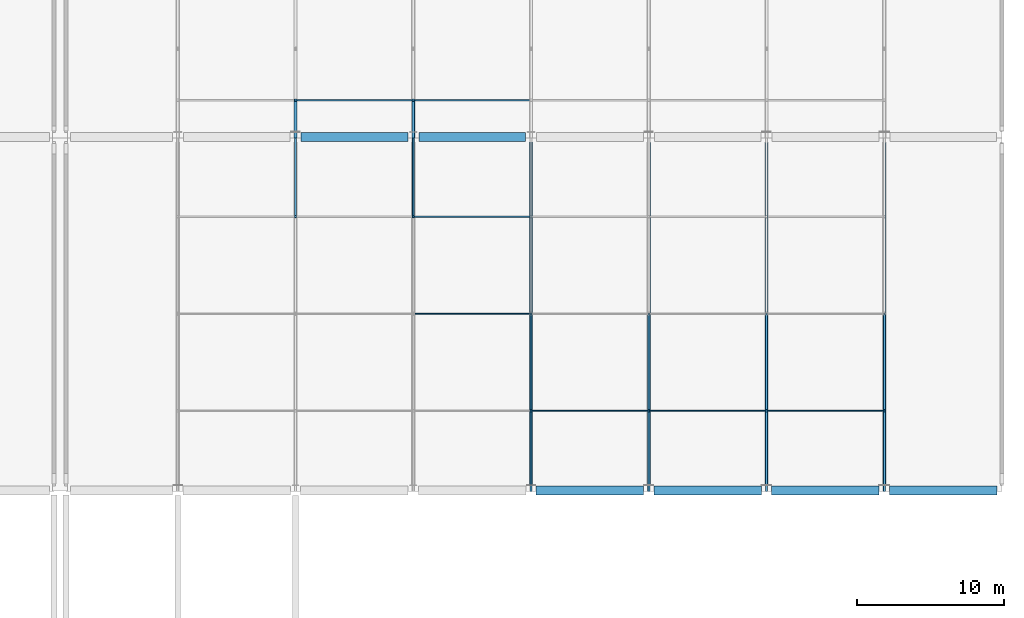
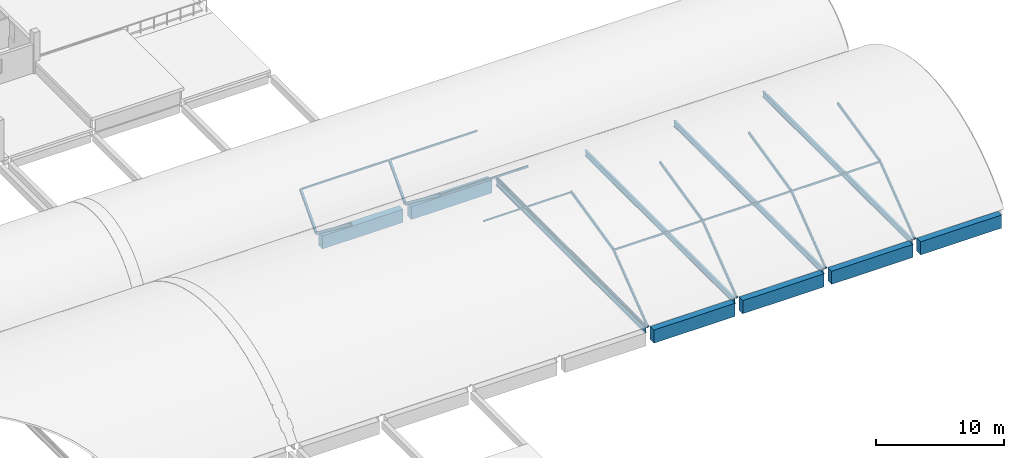
# One storey, part 31 of 57: 20 members, 10 beams.
"""IFC4 building model written with IfcOpenShell, lengths in metres."""

from ifc_helpers import new_model, si_unit, direction, frame, origin, origin_2d, place, context, subcontext, project, spatial, rectangle, hollow_rectangle, hollow_circle, i_section, extrude, material, material_profile, profile_set, type_object, element, save


model = new_model("IFC4")

# Units and contexts
model_context = context("Model", 3, precision=1e-05, world=origin(), true_north=direction((0.0, 1.0)))
body_context = subcontext(model_context, "Body", "Model", "MODEL_VIEW")
ifc_project = project(units=[si_unit("LENGTHUNIT", "METRE"), si_unit("AREAUNIT", "SQUARE_METRE"), si_unit("VOLUMEUNIT", "CUBIC_METRE"), si_unit("PLANEANGLEUNIT", "RADIAN"), si_unit("MASSUNIT", "GRAM", prefix="KILO"), si_unit("THERMODYNAMICTEMPERATUREUNIT", "KELVIN"), si_unit("POWERUNIT", "WATT")], contexts=[model_context])

# Site, building, storey
site_placement = place(None, origin())
site = spatial("IfcSite", under=ifc_project, at=site_placement, CompositionType="ELEMENT")
building_placement = place(site_placement, origin())
building = spatial("IfcBuilding", under=site, at=building_placement, Name="Kronsvod Quay Wholesale Market", CompositionType="ELEMENT")
storey_placement = place(building_placement, frame((0.0, 0.0, 13.199951171875)))
storey = spatial("IfcBuildingStorey", under=building, at=storey_placement, Name="L03", CompositionType="ELEMENT", Elevation=13.199951171875)

# Beams
ifc_material_1 = material(Name="Precast concrete C40/50", Category="concrete")
ifc_material_profile_1 = material_profile(ifc_material_1, rectangle(XDim=0.60009765625, YDim=1.25, at=origin_2d()), Name="PCVG600x1250")
ifc_profile_set_1 = profile_set([ifc_material_profile_1], Name="Precast concrete C40/50")
beam_type_1 = type_object("IfcBeamType", Name="Girder_PCVG600x1250", PredefinedType="T_BEAM", material=ifc_profile_set_1)
for number, where, z_axis, x_axis, name in (
    (1, (160.35009765625, 54.0, -0.844970703125), (1.0, 0.0, 0.0), (0.0, 1.0, 0.0), "BMX-L03-1600-540"),
    (2, (168.35009765625, 54.0, -0.844970703125), (1.0, 0.0, 0.0), (0.0, 1.0, 0.0), "BMX-L03-1680-540"),
    (3, (176.35009765625, 54.0, -0.844970703125), (1.0, 0.0, 0.0), (0.0, 1.0, 0.0), "BMX-L03-1760-540"),
    (4, (184.35009765625, 54.0, -0.844970703125), (1.0, 0.0, 0.0), (0.0, 1.0, 0.0), "BMX-L03-1840-540"),
):
    element("IfcBeam", number, at=place(storey_placement, frame(where, z_axis=z_axis, x_axis=x_axis)), inside=storey, type_object=beam_type_1, Name=name, PredefinedType="T_BEAM", context=body_context, shape_type="SweptSolid", body=[
        extrude(rectangle(XDim=0.60009765625, YDim=1.25, at=origin_2d()), origin(), (0.0, 0.0, 1.0), 7.2998046875),
    ])
for number, where, z_axis, x_axis, name in (
    (5, (144.375, 78.0, -0.844970703125), (1.0, 0.0, 0.0), (0.0, 1.0, 0.0), "BMX-L03-1440-780"),
    (6, (152.375, 78.0, -0.844970703125), (1.0, 0.0, 0.0), (0.0, 1.0, 0.0), "BMX-L03-1520-780"),
):
    element("IfcBeam", number, at=place(storey_placement, frame(where, z_axis=z_axis, x_axis=x_axis)), inside=storey, type_object=beam_type_1, Name=name, PredefinedType="T_BEAM", context=body_context, shape_type="SweptSolid", body=[
        extrude(rectangle(XDim=0.60009765625, YDim=1.25, at=origin_2d()), origin(), (0.0, 0.0, 1.0), 7.25),
    ])
ifc_material_2 = material(Name="Steel S355", Category="steel")
ifc_material_profile_2 = material_profile(ifc_material_2, i_section(OverallWidth=0.199951171875, OverallDepth=0.5458984375, WebThickness=0.009521484375, FlangeThickness=0.014892578125, FilletRadius=0.02197265625, at=origin_2d()), Name="55B1")
ifc_profile_set_2 = profile_set([ifc_material_profile_2], Name="Steel S355")
beam_type_2 = type_object("IfcBeamType", Name="Girder_Steel55B1", PredefinedType="T_BEAM", material=ifc_profile_set_2)
for number, where, z_axis, x_axis, name in (
    (7, (160.0, 54.35009765625, -0.492919921875), (0.0, 1.0, 0.0), (-1.0, 0.0, 0.0), "BMY-L03-1600-540"),
    (8, (168.0, 54.35009765625, -0.492919921875), (0.0, 1.0, 0.0), (-1.0, 0.0, 0.0), "BMY-L03-1680-540"),
    (9, (176.0, 54.35009765625, -0.492919921875), (0.0, 1.0, 0.0), (-1.0, 0.0, 0.0), "BMY-L03-1760-540"),
    (10, (184.0, 54.35009765625, -0.492919921875), (0.0, 1.0, 0.0), (-1.0, 0.0, 0.0), "BMY-L03-1840-540"),
):
    element("IfcBeam", number, at=place(storey_placement, frame(where, z_axis=z_axis, x_axis=x_axis)), inside=storey, type_object=beam_type_2, Name=name, PredefinedType="T_BEAM", context=body_context, shape_type="SweptSolid", body=[
        extrude(i_section(OverallWidth=0.199951171875, OverallDepth=0.5458984375, WebThickness=0.009521484375, FlangeThickness=0.014892578125, FilletRadius=0.02197265625, at=origin_2d()), origin(), (0.0, 0.0, 1.0), 23.27490234375),
    ])

# Members
ifc_material_3 = material(Name="Steel S355", Category="steel")
ifc_material_profile_3 = material_profile(ifc_material_3, hollow_rectangle(XDim=0.199951171875, YDim=0.199951171875, WallThickness=0.010009765625, InnerFilletRadius=0.010009765625, OuterFilletRadius=0.02001953125, at=origin_2d()), Name="RHS200x200x10")
ifc_profile_set_3 = profile_set([ifc_material_profile_3], Name="Steel S355")
member_type_1 = type_object("IfcMemberType", Name="Member_Arch200x200", PredefinedType="RAFTER", material=ifc_profile_set_3)
for number, where, z_axis, x_axis, name in (
    (11, (144.0, 78.0, -0.010009765625), (0.0, 0.67865576732, 0.734456499381), (-1.0, 0.0, 0.0), "ARCG-SH-V2E-N-1440-0"),
    (12, (152.0, 78.0, -0.010009765625), (0.0, 0.67865576732, 0.734456499381), (-1.0, 0.0, 0.0), "ARCG-SH-V2E-N-1520-0"),
):
    element("IfcMember", number, at=place(storey_placement, frame(where, z_axis=z_axis, x_axis=x_axis)), inside=storey, type_object=member_type_1, Name=name, PredefinedType="RAFTER", context=body_context, shape_type="SweptSolid", body=[
        extrude(hollow_rectangle(XDim=0.199951171875, YDim=0.199951171875, WallThickness=0.010009765625, InnerFilletRadius=0.010009765625, OuterFilletRadius=0.02001953125, at=origin_2d()), origin(), (0.0, 0.0, 1.0), 3.697021484375),
    ])
ifc_material_4 = material(Name="Steel S355", Category="steel")
ifc_material_profile_4 = material_profile(ifc_material_4, hollow_rectangle(XDim=0.14990234375, YDim=0.25, WallThickness=0.010009765625, InnerFilletRadius=0.010009765625, OuterFilletRadius=0.02001953125, at=origin_2d()), Name="RHS250x150x10")
ifc_profile_set_4 = profile_set([ifc_material_profile_4], Name="Steel S355")
member_type_2 = type_object("IfcMemberType", Name="Member_Arch250x150", PredefinedType="RAFTER", material=ifc_profile_set_4)
for number, where, z_axis, x_axis, name in (
    (13, (144.0, 72.594482421875, 4.1298828125), (0.0, 0.79391386882, -0.608030236827), (-1.0, 0.0, 0.0), "ARCG-SH-V2E-M-1440-3"),
    (14, (152.0, 72.594482421875, 4.1298828125), (0.0, 0.79391386882, -0.608030236827), (-1.0, 0.0, 0.0), "ARCG-SH-V2E-M-1520-3"),
    (15, (160.0, 54.0, -0.010009765625), (0.0, 0.79391386882, 0.608030236827), (-1.0, 0.0, 0.0), "ARCG-SH-V2E-M-1600-0"),
):
    element("IfcMember", number, at=place(storey_placement, frame(where, z_axis=z_axis, x_axis=x_axis)), inside=storey, type_object=member_type_2, Name=name, PredefinedType="RAFTER", context=body_context, shape_type="SweptSolid", body=[
        extrude(hollow_rectangle(XDim=0.14990234375, YDim=0.25, WallThickness=0.010009765625, InnerFilletRadius=0.010009765625, OuterFilletRadius=0.02001953125, at=origin_2d()), origin(), (0.0, 0.0, 1.0), 6.80859375),
    ])
member_1_placement = place(storey_placement, frame((160.0, 59.405517578125, 4.1298828125), z_axis=(0.0, 0.974763902227, 0.223238291777), x_axis=(-1.0, 0.0, 0.0)))
element("IfcMember", 16, at=member_1_placement, inside=storey, type_object=member_type_2, Name="ARCG-SH-V2E-M-1600-1", PredefinedType="RAFTER", context=body_context, shape_type="SweptSolid", body=[
    extrude(hollow_rectangle(XDim=0.14990234375, YDim=0.25, WallThickness=0.010009765625, InnerFilletRadius=0.010009765625, OuterFilletRadius=0.02001953125, at=origin_2d()), origin(), (0.0, 0.0, 1.0), 6.76513671875),
])
member_2_placement = place(storey_placement, frame((168.0, 54.0, -0.010009765625), z_axis=(0.0, 0.79391386882, 0.608030236827), x_axis=(-1.0, 0.0, 0.0)))
element("IfcMember", 17, at=member_2_placement, inside=storey, type_object=member_type_2, Name="ARCG-SH-V2E-M-1680-0", PredefinedType="RAFTER", context=body_context, shape_type="SweptSolid", body=[
    extrude(hollow_rectangle(XDim=0.14990234375, YDim=0.25, WallThickness=0.010009765625, InnerFilletRadius=0.010009765625, OuterFilletRadius=0.02001953125, at=origin_2d()), origin(), (0.0, 0.0, 1.0), 6.80859375),
])
member_3_placement = place(storey_placement, frame((168.0, 59.405517578125, 4.1298828125), z_axis=(0.0, 0.974763902227, 0.223238291777), x_axis=(-1.0, 0.0, 0.0)))
element("IfcMember", 18, at=member_3_placement, inside=storey, type_object=member_type_2, Name="ARCG-SH-V2E-M-1680-1", PredefinedType="RAFTER", context=body_context, shape_type="SweptSolid", body=[
    extrude(hollow_rectangle(XDim=0.14990234375, YDim=0.25, WallThickness=0.010009765625, InnerFilletRadius=0.010009765625, OuterFilletRadius=0.02001953125, at=origin_2d()), origin(), (0.0, 0.0, 1.0), 6.76513671875),
])
member_4_placement = place(storey_placement, frame((176.0, 54.0, -0.010009765625), z_axis=(0.0, 0.79391386882, 0.608030236827), x_axis=(-1.0, 0.0, 0.0)))
element("IfcMember", 19, at=member_4_placement, inside=storey, type_object=member_type_2, Name="ARCG-SH-V2E-M-1760-0", PredefinedType="RAFTER", context=body_context, shape_type="SweptSolid", body=[
    extrude(hollow_rectangle(XDim=0.14990234375, YDim=0.25, WallThickness=0.010009765625, InnerFilletRadius=0.010009765625, OuterFilletRadius=0.02001953125, at=origin_2d()), origin(), (0.0, 0.0, 1.0), 6.80859375),
])
member_5_placement = place(storey_placement, frame((176.0, 59.405517578125, 4.1298828125), z_axis=(0.0, 0.974763902227, 0.223238291777), x_axis=(-1.0, 0.0, 0.0)))
element("IfcMember", 20, at=member_5_placement, inside=storey, type_object=member_type_2, Name="ARCG-SH-V2E-M-1760-1", PredefinedType="RAFTER", context=body_context, shape_type="SweptSolid", body=[
    extrude(hollow_rectangle(XDim=0.14990234375, YDim=0.25, WallThickness=0.010009765625, InnerFilletRadius=0.010009765625, OuterFilletRadius=0.02001953125, at=origin_2d()), origin(), (0.0, 0.0, 1.0), 6.76513671875),
])
member_6_placement = place(storey_placement, frame((184.0, 54.0, -0.010009765625), z_axis=(0.0, 0.79391386882, 0.608030236827), x_axis=(-1.0, 0.0, 0.0)))
element("IfcMember", 21, at=member_6_placement, inside=storey, type_object=member_type_2, Name="ARCG-SH-V2E-M-1840-0", PredefinedType="RAFTER", context=body_context, shape_type="SweptSolid", body=[
    extrude(hollow_rectangle(XDim=0.14990234375, YDim=0.25, WallThickness=0.010009765625, InnerFilletRadius=0.010009765625, OuterFilletRadius=0.02001953125, at=origin_2d()), origin(), (0.0, 0.0, 1.0), 6.80859375),
])
member_7_placement = place(storey_placement, frame((184.0, 59.405517578125, 4.1298828125), z_axis=(0.0, 0.974763902227, 0.223238291777), x_axis=(-1.0, 0.0, 0.0)))
element("IfcMember", 22, at=member_7_placement, inside=storey, type_object=member_type_2, Name="ARCG-SH-V2E-M-1840-1", PredefinedType="RAFTER", context=body_context, shape_type="SweptSolid", body=[
    extrude(hollow_rectangle(XDim=0.14990234375, YDim=0.25, WallThickness=0.010009765625, InnerFilletRadius=0.010009765625, OuterFilletRadius=0.02001953125, at=origin_2d()), origin(), (0.0, 0.0, 1.0), 6.76513671875),
])
ifc_material_5 = material(Name="Steel S355", Category="steel")
ifc_material_profile_5 = material_profile(ifc_material_5, hollow_circle(Radius=0.109619140625, WallThickness=0.010009765625, at=origin_2d()), Name="CHS219x10")
ifc_profile_set_5 = profile_set([ifc_material_profile_5], Name="Steel S355")
member_type_3 = type_object("IfcMemberType", Name="Member_Chord219x10", PredefinedType="CHORD", material=ifc_profile_set_5)
member_8_placement = place(storey_placement, frame((160.0, 54.340087890625, -0.079833984375), z_axis=(0.0, 1.0, 0.0), x_axis=(-1.0, 0.0, 0.0)))
element("IfcMember", 23, at=member_8_placement, inside=storey, type_object=member_type_3, Name="CHDG-SH-V2E-M-1600", PredefinedType="CHORD", context=body_context, shape_type="SweptSolid", body=[
    extrude(hollow_circle(Radius=0.109619140625, WallThickness=0.010009765625, at=origin_2d()), origin(), (0.0, 0.0, 1.0), 23.31982421875),
])
ifc_material_6 = material(Name="Steel S355", Category="steel")
ifc_material_profile_6 = material_profile(ifc_material_6, hollow_rectangle(XDim=0.1201171875, YDim=0.199951171875, WallThickness=0.008056640625, InnerFilletRadius=0.008056640625, OuterFilletRadius=0.01611328125, at=origin_2d()), Name="RHS200x120x8")
ifc_profile_set_6 = profile_set([ifc_material_profile_6], Name="Steel S355")
member_type_4 = type_object("IfcMemberType", Name="Member_Girt200x120", PredefinedType="PURLIN", material=ifc_profile_set_6)
member_9_placement = place(storey_placement, frame((152.080078125, 72.594482421875, 4.070068359375), z_axis=(1.0, 0.0, 0.0), x_axis=(0.0, 1.0, 0.0)))
element("IfcMember", 24, at=member_9_placement, inside=storey, type_object=member_type_4, Name="PRLG-SH-V2E-M-2-2", PredefinedType="PURLIN", context=body_context, shape_type="SweptSolid", body=[
    extrude(hollow_rectangle(XDim=0.1201171875, YDim=0.199951171875, WallThickness=0.008056640625, InnerFilletRadius=0.008056640625, OuterFilletRadius=0.01611328125, at=origin_2d()), origin(), (0.0, 0.0, 1.0), 7.83984375),
])
ifc_material_7 = material(Name="Steel S355", Category="steel")
ifc_material_profile_7 = material_profile(ifc_material_7, hollow_rectangle(XDim=0.080078125, YDim=0.159912109375, WallThickness=0.006103515625, InnerFilletRadius=0.006103515625, OuterFilletRadius=0.011962890625, at=origin_2d()), Name="RHS160x80x6")
ifc_profile_set_7 = profile_set([ifc_material_profile_7], Name="Steel S355")
member_type_5 = type_object("IfcMemberType", Name="Member_Purlin160x80", PredefinedType="PURLIN", material=ifc_profile_set_7)
member_10_placement = place(storey_placement, frame((152.080078125, 66.0, 5.580078125), z_axis=(1.0, 0.0, 0.0), x_axis=(0.0, 1.0, 0.0)))
element("IfcMember", 25, at=member_10_placement, inside=storey, type_object=member_type_5, Name="PRLG-SH-V2E-M-2-1", PredefinedType="PURLIN", context=body_context, shape_type="SweptSolid", body=[
    extrude(hollow_rectangle(XDim=0.080078125, YDim=0.159912109375, WallThickness=0.006103515625, InnerFilletRadius=0.006103515625, OuterFilletRadius=0.011962890625, at=origin_2d()), origin(), (0.0, 0.0, 1.0), 7.83984375),
])
ifc_material_8 = material(Name="Steel S355", Category="steel")
ifc_material_profile_8 = material_profile(ifc_material_8, hollow_rectangle(XDim=0.10009765625, YDim=0.179931640625, WallThickness=0.008056640625, InnerFilletRadius=0.008056640625, OuterFilletRadius=0.01611328125, at=origin_2d()), Name="RHS180x100x8")
ifc_profile_set_8 = profile_set([ifc_material_profile_8], Name="Steel S355")
member_type_6 = type_object("IfcMemberType", Name="Member_Purlin180x100", PredefinedType="PURLIN", material=ifc_profile_set_8)
for number, where, z_axis, x_axis, name in (
    (26, (160.080078125, 59.405517578125, 4.070068359375), (1.0, 0.0, 0.0), (0.0, 1.0, 0.0), "PRLG-SH-V2E-M-3-0"),
    (27, (168.080078125, 59.405517578125, 4.070068359375), (1.0, 0.0, 0.0), (0.0, 1.0, 0.0), "PRLG-SH-V2E-M-4-0"),
    (28, (176.080078125, 59.405517578125, 4.070068359375), (1.0, 0.0, 0.0), (0.0, 1.0, 0.0), "PRLG-SH-V2E-M-5-0"),
    (29, (144.080078125, 80.509033203125, 2.645263671875), (1.0, 0.0, 0.0), (0.0, 1.0, 0.0), "PRLG-SH-V2E-N-1-0"),
    (30, (152.080078125, 80.509033203125, 2.645263671875), (1.0, 0.0, 0.0), (0.0, 1.0, 0.0), "PRLG-SH-V2E-N-2-0"),
):
    element("IfcMember", number, at=place(storey_placement, frame(where, z_axis=z_axis, x_axis=x_axis)), inside=storey, type_object=member_type_6, Name=name, PredefinedType="PURLIN", context=body_context, shape_type="SweptSolid", body=[
        extrude(hollow_rectangle(XDim=0.10009765625, YDim=0.179931640625, WallThickness=0.008056640625, InnerFilletRadius=0.008056640625, OuterFilletRadius=0.01611328125, at=origin_2d()), origin(), (0.0, 0.0, 1.0), 7.83984375),
    ])

save(model, "model.ifc")
